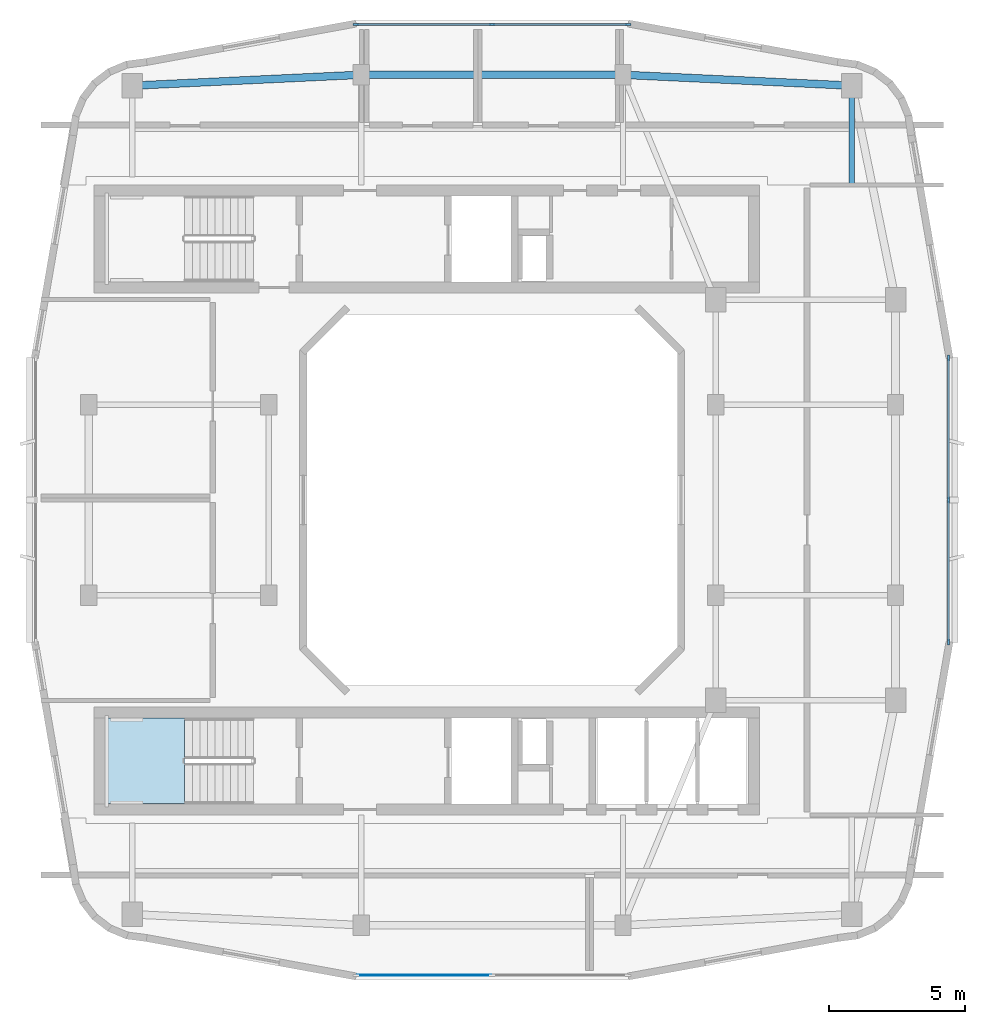
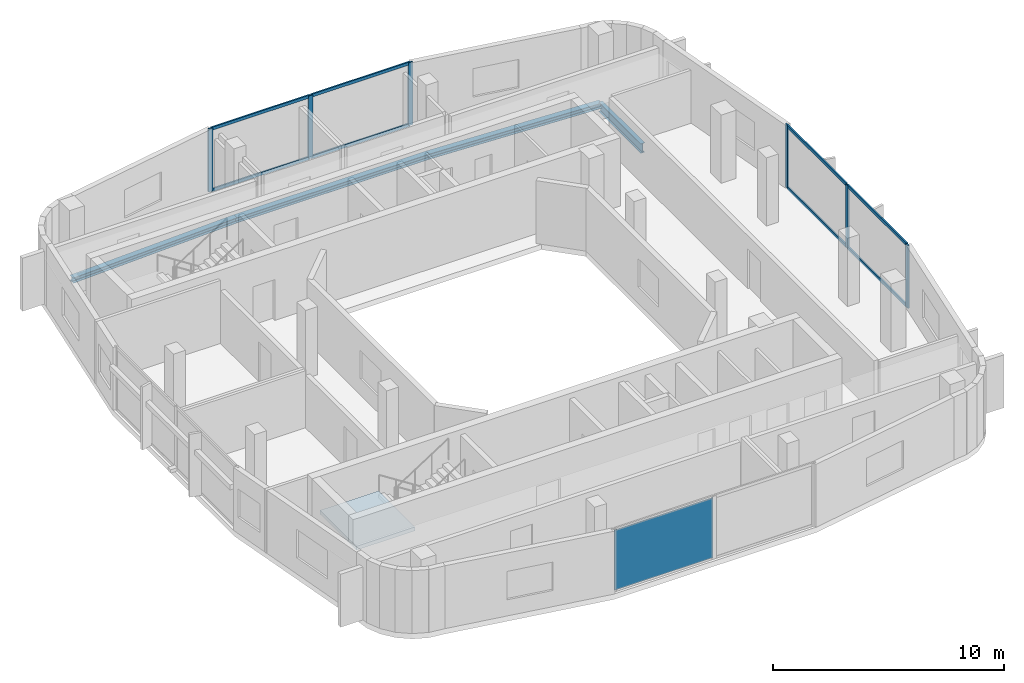
# One storey, part 2 of 10: 14 members, 4 beams, 1 plate, 1 slab, 4 elements without a shape of their own.
"""IFC4 building model written with IfcOpenShell, lengths in metres."""

from ifc_helpers import new_model, si_unit, derived_unit, direction, frame, origin, origin_2d, place, context, subcontext, project, spatial, polyline, rectangle, i_section, outline, extrude, material, layer, layer_set, material_profile, profile_set, type_object, element, aggregate, save


model = new_model("IFC4")

# Units and contexts
model_context = context("Model", 3, precision=1e-05, world=origin(), true_north=direction((0.0, 1.0)))
body_context = subcontext(model_context, "Body", "Model", "MODEL_VIEW")
ifc_project = project(units=[si_unit("LENGTHUNIT", "METRE"), si_unit("AREAUNIT", "SQUARE_METRE"), si_unit("VOLUMEUNIT", "CUBIC_METRE"), si_unit("PLANEANGLEUNIT", "RADIAN"), si_unit("MASSUNIT", "GRAM", prefix="KILO"), derived_unit("THERMALTRANSMITTANCEUNIT", [(si_unit("POWERUNIT", "WATT"), 1), (si_unit("LENGTHUNIT", "METRE"), -2), (si_unit("THERMODYNAMICTEMPERATUREUNIT", "KELVIN"), -1)])], contexts=[model_context])

# Site, building, storey
site_placement = place(None, origin())
site = spatial("IfcSite", under=ifc_project, at=site_placement, CompositionType="ELEMENT")
building_placement = place(site_placement, origin())
building = spatial("IfcBuilding", under=site, at=building_placement, Name="Kivonza Crest Hotel", CompositionType="ELEMENT")
storey_placement = place(building_placement, frame((0.0, 0.0, 264.800048828125)))
storey = spatial("IfcBuildingStorey", under=building, at=storey_placement, Name="L72", CompositionType="ELEMENT", Elevation=264.800048828125)

# Beams
ifc_material_1 = material(Name="Steel S355", Category="steel")
ifc_material_profile_1 = material_profile(ifc_material_1, i_section(OverallWidth=0.280029296875, OverallDepth=0.280029296875, WebThickness=0.010498046875, FlangeThickness=0.01806640625, FilletRadius=0.02392578125, at=origin_2d()), Name="HEB 280")
ifc_profile_set_1 = profile_set([ifc_material_profile_1], Name="Steel S355")
beam_type_1 = type_object("IfcBeamType", Name="BM-HEB280", PredefinedType="SPANDREL", material=ifc_profile_set_1)
beam_1_placement = place(storey_placement, frame((34.199951171875, 40.199951171875, -0.420166015625), z_axis=(-0.998867283688, 0.047583080799, 0.0), x_axis=(-0.047583080799, -0.998867283688, 0.0)))
element("IfcBeam", 1, at=beam_1_placement, inside=storey, type_object=beam_type_1, Name="Tower T1 L72 perimeter spandrel NE-N2", PredefinedType="SPANDREL", context=body_context, shape_type="SweptSolid", body=[
    extrude(i_section(OverallWidth=0.280029296875, OverallDepth=0.280029296875, WebThickness=0.010498046875, FlangeThickness=0.01806640625, FilletRadius=0.02392578125, at=origin_2d()), origin(), (0.0, 0.0, 1.0), 8.409423828125),
])
beam_2_placement = place(storey_placement, frame((25.800048828125, 40.60009765625, -0.420166015625), z_axis=(-1.0, 0.0, 0.0), x_axis=(0.0, -1.0, 0.0)))
element("IfcBeam", 2, at=beam_2_placement, inside=storey, type_object=beam_type_1, Name="Tower T1 L72 perimeter spandrel N2-N1", PredefinedType="SPANDREL", context=body_context, shape_type="SweptSolid", body=[
    extrude(i_section(OverallWidth=0.280029296875, OverallDepth=0.280029296875, WebThickness=0.010498046875, FlangeThickness=0.01806640625, FilletRadius=0.02392578125, at=origin_2d()), origin(), (0.0, 0.0, 1.0), 9.60009765625),
])
beam_3_placement = place(storey_placement, frame((16.199951171875, 40.60009765625, -0.420166015625), z_axis=(-0.998867283688, -0.047583080799, 0.0), x_axis=(0.047583080799, -0.998867283688, 0.0)))
element("IfcBeam", 3, at=beam_3_placement, inside=storey, type_object=beam_type_1, Name="Tower T1 L72 perimeter spandrel N1-NW", PredefinedType="SPANDREL", context=body_context, shape_type="SweptSolid", body=[
    extrude(i_section(OverallWidth=0.280029296875, OverallDepth=0.280029296875, WebThickness=0.010498046875, FlangeThickness=0.01806640625, FilletRadius=0.02392578125, at=origin_2d()), origin(), (0.0, 0.0, 1.0), 8.409423828125),
])
ifc_material_profile_2 = material_profile(ifc_material_1, i_section(OverallWidth=0.199951171875, OverallDepth=0.5, WebThickness=0.01025390625, FlangeThickness=0.01611328125, FilletRadius=0.02099609375, at=origin_2d()), Name="IPE 500")
ifc_profile_set_2 = profile_set([ifc_material_profile_2], Name="Steel S355")
beam_type_2 = type_object("IfcBeamType", Name="BM-IPE500", PredefinedType="BEAM", material=ifc_profile_set_2)
beam_4_placement = place(storey_placement, frame((34.199951171875, 40.199951171875, -0.530029296875), z_axis=(0.0, -1.0, 0.0), x_axis=(1.0, 0.0, 0.0)))
element("IfcBeam", 4, at=beam_4_placement, inside=storey, type_object=beam_type_2, Name="Tower T1 L72 radial core girder RNE", PredefinedType="BEAM", context=body_context, shape_type="SweptSolid", body=[
    extrude(i_section(OverallWidth=0.199951171875, OverallDepth=0.5, WebThickness=0.01025390625, FlangeThickness=0.01611328125, FilletRadius=0.02099609375, at=origin_2d()), origin(), (0.0, 0.0, 1.0), 3.64990234375),
])

# Curtain wall, members
ifc_material_2 = material(Name="Anodised bronze aluminium and low-E double glazing", Category="aluminium")
ifc_layer_1 = layer(ifc_material_2, 0.199951171875)
ifc_layer_set_1 = layer_set([ifc_layer_1], Name="Anodised bronze aluminium and low-E double glazing")
curtain_wall_type = type_object("IfcCurtainWallType", Name="CW-SYS-6", PredefinedType="NOTDEFINED", material=ifc_layer_set_1)
curtain_wall_1_placement = place(storey_placement, origin())
curtain_wall_1 = element("IfcCurtainWall", 5, at=curtain_wall_1_placement, inside=storey, type_object=curtain_wall_type, Name="L72 unitised curtain wall CW-T1-L72-17", PredefinedType="NOTDEFINED")
ifc_material_3 = material(Name="Anodised bronze aluminium", Category="aluminium")
ifc_material_profile_3 = material_profile(ifc_material_3, rectangle(XDim=0.074951171875, YDim=0.219970703125, at=origin_2d()), Name="CW-M 75x220")
ifc_profile_set_3 = profile_set([ifc_material_profile_3], Name="Anodised bronze aluminium")
member_type_1 = type_object("IfcMemberType", Name="CW-MUL-75x220", PredefinedType="MULLION", material=ifc_profile_set_3)
member_1_placement = place(storey_placement, frame((37.739990234375, 19.797607421875, 0.0), z_axis=(0.0, 0.0, 1.0), x_axis=(-1.0, 0.0, 0.0)))
member_1 = element("IfcMember", 6, at=member_1_placement, type_object=member_type_1, Name="CW-6 mullion 1", PredefinedType="MULLION", context=body_context, shape_type="SweptSolid", body=[
    extrude(rectangle(XDim=0.074951171875, YDim=0.219970703125, at=origin_2d()), origin(), (0.0, 0.0, 1.0), 3.320068359375),
])
member_2_placement = place(storey_placement, frame((37.739990234375, 25.0, 0.0), z_axis=(0.0, 0.0, 1.0), x_axis=(-1.0, 0.0, 0.0)))
member_2 = element("IfcMember", 7, at=member_2_placement, type_object=member_type_1, Name="CW-6 mullion 2", PredefinedType="MULLION", context=body_context, shape_type="SweptSolid", body=[
    extrude(rectangle(XDim=0.074951171875, YDim=0.219970703125, at=origin_2d()), origin(), (0.0, 0.0, 1.0), 3.320068359375),
])
member_3_placement = place(storey_placement, frame((37.739990234375, 30.202392578125, 0.0), z_axis=(0.0, 0.0, 1.0), x_axis=(-1.0, 0.0, 0.0)))
member_3 = element("IfcMember", 8, at=member_3_placement, type_object=member_type_1, Name="CW-6 mullion 3", PredefinedType="MULLION", context=body_context, shape_type="SweptSolid", body=[
    extrude(rectangle(XDim=0.074951171875, YDim=0.219970703125, at=origin_2d()), origin(), (0.0, 0.0, 1.0), 3.320068359375),
])

curtain_wall_2_placement = place(storey_placement, origin())
curtain_wall_2 = element("IfcCurtainWall", 9, at=curtain_wall_2_placement, inside=storey, type_object=curtain_wall_type, Name="L72 unitised curtain wall CW-T1-L72-26", PredefinedType="NOTDEFINED")
member_4_placement = place(storey_placement, frame((25.992431640625, 42.43994140625, 0.0), z_axis=(0.0, 0.0, 1.0), x_axis=(0.0, -1.0, 0.0)))
member_4 = element("IfcMember", 10, at=member_4_placement, type_object=member_type_1, Name="CW-6 mullion 1", PredefinedType="MULLION", context=body_context, shape_type="SweptSolid", body=[
    extrude(rectangle(XDim=0.074951171875, YDim=0.219970703125, at=origin_2d()), origin(), (0.0, 0.0, 1.0), 3.320068359375),
])
member_5_placement = place(storey_placement, frame((21.0, 42.43994140625, 0.0), z_axis=(0.0, 0.0, 1.0), x_axis=(0.0, -1.0, 0.0)))
member_5 = element("IfcMember", 11, at=member_5_placement, type_object=member_type_1, Name="CW-6 mullion 2", PredefinedType="MULLION", context=body_context, shape_type="SweptSolid", body=[
    extrude(rectangle(XDim=0.074951171875, YDim=0.219970703125, at=origin_2d()), origin(), (0.0, 0.0, 1.0), 3.320068359375),
])
member_6_placement = place(storey_placement, frame((16.007568359375, 42.43994140625, 0.0), z_axis=(0.0, 0.0, 1.0), x_axis=(0.0, -1.0, 0.0)))
member_6 = element("IfcMember", 12, at=member_6_placement, type_object=member_type_1, Name="CW-6 mullion 3", PredefinedType="MULLION", context=body_context, shape_type="SweptSolid", body=[
    extrude(rectangle(XDim=0.074951171875, YDim=0.219970703125, at=origin_2d()), origin(), (0.0, 0.0, 1.0), 3.320068359375),
])

# Member
ifc_material_profile_4 = material_profile(ifc_material_3, rectangle(XDim=0.074951171875, YDim=0.159912109375, at=origin_2d()), Name="CW-T 75x160")
ifc_profile_set_4 = profile_set([ifc_material_profile_4], Name="Anodised bronze aluminium")
member_type_2 = type_object("IfcMemberType", Name="CW-TRN-75x160", PredefinedType="USERDEFINED", material=ifc_profile_set_4)
member_7_placement = place(storey_placement, frame((37.739990234375, 19.8349609375, 0.037353515625), z_axis=(0.0, 1.0, 0.0), x_axis=(-1.0, 0.0, 0.0)))
member_7 = element("IfcMember", 13, at=member_7_placement, type_object=member_type_2, Name="CW-6 transom 1.1", ObjectType="TRANSOM", PredefinedType="USERDEFINED", context=body_context, shape_type="SweptSolid", body=[
    extrude(rectangle(XDim=0.074951171875, YDim=0.159912109375, at=origin_2d()), origin(), (0.0, 0.0, 1.0), 5.12744140625),
])

member_8_placement = place(storey_placement, frame((37.739990234375, 19.8349609375, 3.282470703125), z_axis=(0.0, 1.0, 0.0), x_axis=(-1.0, 0.0, 0.0)))
member_8 = element("IfcMember", 14, at=member_8_placement, type_object=member_type_2, Name="CW-6 transom 1.2", ObjectType="TRANSOM", PredefinedType="USERDEFINED", context=body_context, shape_type="SweptSolid", body=[
    extrude(rectangle(XDim=0.074951171875, YDim=0.159912109375, at=origin_2d()), origin(), (0.0, 0.0, 1.0), 5.12744140625),
])

member_9_placement = place(storey_placement, frame((37.739990234375, 25.03759765625, 0.037353515625), z_axis=(0.0, 1.0, 0.0), x_axis=(-1.0, 0.0, 0.0)))
member_9 = element("IfcMember", 15, at=member_9_placement, type_object=member_type_2, Name="CW-6 transom 2.1", ObjectType="TRANSOM", PredefinedType="USERDEFINED", context=body_context, shape_type="SweptSolid", body=[
    extrude(rectangle(XDim=0.074951171875, YDim=0.159912109375, at=origin_2d()), origin(), (0.0, 0.0, 1.0), 5.12744140625),
])

member_10_placement = place(storey_placement, frame((37.739990234375, 25.03759765625, 3.282470703125), z_axis=(0.0, 1.0, 0.0), x_axis=(-1.0, 0.0, 0.0)))
member_10 = element("IfcMember", 16, at=member_10_placement, type_object=member_type_2, Name="CW-6 transom 2.2", ObjectType="TRANSOM", PredefinedType="USERDEFINED", context=body_context, shape_type="SweptSolid", body=[
    extrude(rectangle(XDim=0.074951171875, YDim=0.159912109375, at=origin_2d()), origin(), (0.0, 0.0, 1.0), 5.12744140625),
])

aggregate(curtain_wall_1, [member_1, member_2, member_3, member_7, member_8, member_9, member_10])

member_11_placement = place(storey_placement, frame((25.955078125, 42.43994140625, 0.037353515625), z_axis=(-1.0, 0.0, 0.0), x_axis=(0.0, -1.0, 0.0)))
member_11 = element("IfcMember", 17, at=member_11_placement, type_object=member_type_2, Name="CW-6 transom 1.1", ObjectType="TRANSOM", PredefinedType="USERDEFINED", context=body_context, shape_type="SweptSolid", body=[
    extrude(rectangle(XDim=0.074951171875, YDim=0.159912109375, at=origin_2d()), origin(), (0.0, 0.0, 1.0), 4.91748046875),
])

member_12_placement = place(storey_placement, frame((25.955078125, 42.43994140625, 3.282470703125), z_axis=(-1.0, 0.0, 0.0), x_axis=(0.0, -1.0, 0.0)))
member_12 = element("IfcMember", 18, at=member_12_placement, type_object=member_type_2, Name="CW-6 transom 1.2", ObjectType="TRANSOM", PredefinedType="USERDEFINED", context=body_context, shape_type="SweptSolid", body=[
    extrude(rectangle(XDim=0.074951171875, YDim=0.159912109375, at=origin_2d()), origin(), (0.0, 0.0, 1.0), 4.91748046875),
])

member_13_placement = place(storey_placement, frame((20.96240234375, 42.43994140625, 0.037353515625), z_axis=(-1.0, 0.0, 0.0), x_axis=(0.0, -1.0, 0.0)))
member_13 = element("IfcMember", 19, at=member_13_placement, type_object=member_type_2, Name="CW-6 transom 2.1", ObjectType="TRANSOM", PredefinedType="USERDEFINED", context=body_context, shape_type="SweptSolid", body=[
    extrude(rectangle(XDim=0.074951171875, YDim=0.159912109375, at=origin_2d()), origin(), (0.0, 0.0, 1.0), 4.91748046875),
])

member_14_placement = place(storey_placement, frame((20.96240234375, 42.43994140625, 3.282470703125), z_axis=(-1.0, 0.0, 0.0), x_axis=(0.0, -1.0, 0.0)))
member_14 = element("IfcMember", 20, at=member_14_placement, type_object=member_type_2, Name="CW-6 transom 2.2", ObjectType="TRANSOM", PredefinedType="USERDEFINED", context=body_context, shape_type="SweptSolid", body=[
    extrude(rectangle(XDim=0.074951171875, YDim=0.159912109375, at=origin_2d()), origin(), (0.0, 0.0, 1.0), 4.91748046875),
])

aggregate(curtain_wall_2, [member_4, member_5, member_6, member_11, member_12, member_13, member_14])

# Curtain wall, plate
curtain_wall_3_placement = place(storey_placement, origin())
curtain_wall_3 = element("IfcCurtainWall", 21, at=curtain_wall_3_placement, inside=storey, type_object=curtain_wall_type, Name="L72 unitised curtain wall CW-T1-L72-08", PredefinedType="NOTDEFINED")
ifc_material_4 = material(Name="Acoustic triple-laminated low-E glazing", Category="glass")
ifc_layer_2 = layer(ifc_material_4, 0.035888671875)
ifc_layer_set_2 = layer_set([ifc_layer_2], Name="Acoustic triple-laminated low-E glazing")
plate_type = type_object("IfcPlateType", Name="CW-PNL-36", PredefinedType="CURTAIN_PANEL", material=ifc_layer_set_2)
plate_placement = place(storey_placement, frame((18.503662109375, 7.56005859375, 0.074951171875), z_axis=(0.0, 0.0, 1.0), x_axis=(1.0, 0.0, 0.0)))
plate = element("IfcPlate", 22, at=plate_placement, type_object=plate_type, Name="CW-6 panel 1.1", PredefinedType="CURTAIN_PANEL", context=body_context, shape_type="SweptSolid", body=[
    extrude(rectangle(XDim=4.91748046875, YDim=0.035888671875, at=origin_2d()), origin(), (0.0, 0.0, 1.0), 3.169921875),
])
aggregate(curtain_wall_3, [plate])

# Stair, slab
ifc_material_5 = material(Name="Concrete C40/50", Category="concrete")
stair_type = type_object("IfcStairType", Name="ST-DL-20R", PredefinedType="HALF_TURN_STAIR", material=ifc_material_5)
stair_placement = place(storey_placement, origin())
stair = element("IfcStair", 23, at=stair_placement, inside=storey, type_object=stair_type, Name="L72 Protected Exit Stair ST-T1-S", PredefinedType="HALF_TURN_STAIR")
ifc_layer_3 = layer(ifc_material_5, 0.199951171875)
ifc_layer_set_3 = layer_set([ifc_layer_3], Name="Concrete C40/50")
slab_type = type_object("IfcSlabType", Name="SL-LAND-200", PredefinedType="LANDING", material=ifc_layer_set_3)
slab_placement = place(storey_placement, frame((0.0, 0.0, 1.599853515625)))
slab = element("IfcSlab", 24, at=slab_placement, type_object=slab_type, Name="ST-T1-S landing 1", PredefinedType="LANDING", context=body_context, shape_type="SweptSolid", body=[
    extrude(outline(polyline([(9.719970703125, 17.0), (6.800048828125, 17.0), (6.800048828125, 13.860107421875), (9.719970703125, 13.860107421875), (9.719970703125, 17.0)])), origin(), (0.0, 0.0, 1.0), 0.2001953125),
])
aggregate(stair, [slab])

save(model, "model.ifc")
